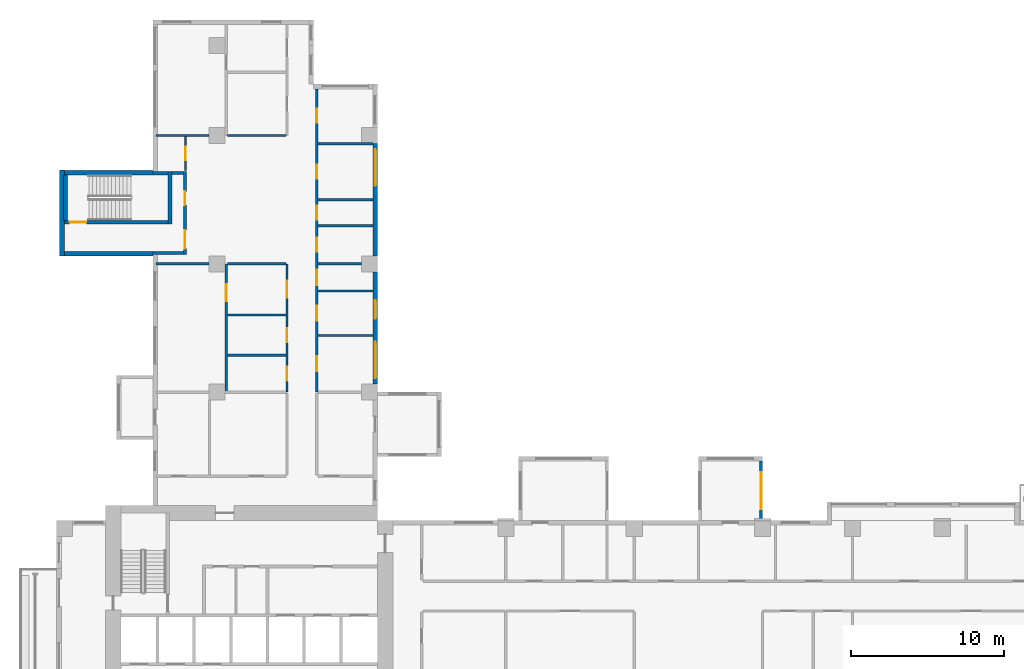
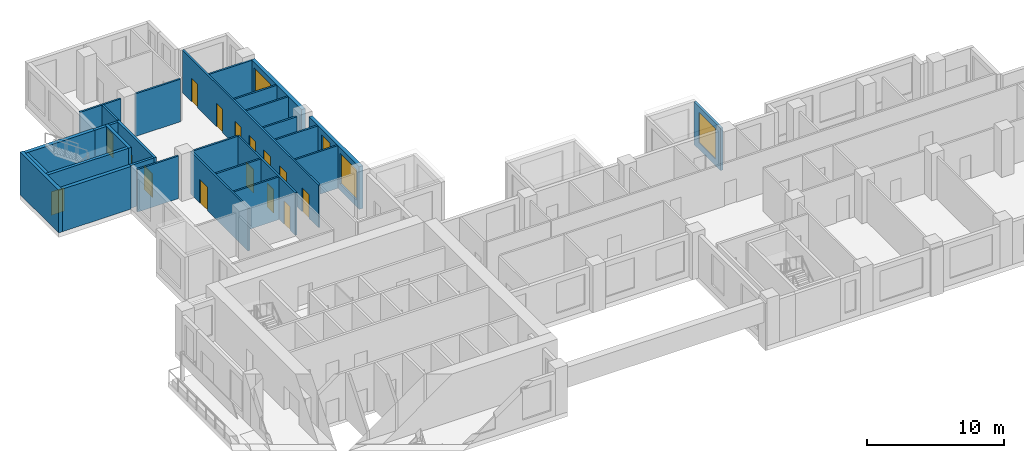
# One storey, part 6 of 14: 29 walls, 15 doors, 4 windows, 19 openings.
"""IFC4 building model written with IfcOpenShell, lengths in metres."""

from ifc_helpers import new_model, si_unit, direction, frame, frame_2d, origin, place, context, subcontext, project, spatial, rectangle, extrude, source, transform, mapped, material, layer, layer_set, type_object, element, fill, save


model = new_model("IFC4")

# Units and contexts
model_context = context("Model", 3, precision=1e-05, world=origin(), true_north=direction((0.0, 1.0)))
body_context = subcontext(model_context, "Body", "Model", "MODEL_VIEW")
ifc_project = project(units=[si_unit("LENGTHUNIT", "METRE"), si_unit("AREAUNIT", "SQUARE_METRE"), si_unit("VOLUMEUNIT", "CUBIC_METRE"), si_unit("PLANEANGLEUNIT", "RADIAN"), si_unit("MASSUNIT", "GRAM", prefix="KILO")], contexts=[model_context])

# Site, building, storey
site_placement = place(None, origin())
site = spatial("IfcSite", under=ifc_project, at=site_placement, CompositionType="ELEMENT")
building_placement = place(site_placement, origin())
building = spatial("IfcBuilding", under=site, at=building_placement, Name="Aurelian Terraces", CompositionType="ELEMENT")
storey_placement = place(building_placement, frame((0.0, 0.0, 153.9)))
storey = spatial("IfcBuildingStorey", under=building, at=storey_placement, Name="L34", CompositionType="ELEMENT", Elevation=153.9)

# Wall, opening, window
ifc_material_1 = material(Name="Concrete fc' 40 MPa", Category="concrete")
ifc_layer_1 = layer(ifc_material_1, 0.2)
ifc_layer_set_1 = layer_set([ifc_layer_1], Name="BOX BEARING WALL 200")
wall_type_1 = type_object("IfcWallType", Name="BOX BEARING WALL 200", PredefinedType="SOLIDWALL", material=ifc_layer_set_1)
shared_shape_1 = source(origin(), body_context, "Body", "SweptSolid", [
    extrude(rectangle(XDim=3.9, YDim=0.2, at=frame_2d((1.95, 0.0))), origin(), (0.0, 0.0, 1.0), 3.8),
])
wall_1_placement = place(storey_placement, frame((46.1, 21.0, 0.0), z_axis=(0.0, 0.0, 1.0), x_axis=(0.0, 1.0, 0.0)))
wall_1 = element("IfcWall", 1, at=wall_1_placement, inside=storey, type_object=wall_type_1, Name="Box return L34 J48.1", PredefinedType="SOLIDWALL", context=body_context, shape_type="MappedRepresentation", body=[
    mapped(shared_shape_1, transform((0.0, 0.0, 0.0), scale=1.0)),
])
shared_shape_2 = source(origin(), body_context, "Body", "SweptSolid", [
    extrude(rectangle(XDim=2.4, YDim=2.7, at=frame_2d((1.2, 1.35))), frame((0.0, 0.11, 0.0), z_axis=(0.0, -1.0, 0.0), x_axis=(1.0, 0.0, 0.0)), (0.0, 0.0, 1.0), 0.22),
])
opening_1_placement = place(wall_1_placement, frame((0.75, 0.0, 0.6)))
opening_1 = element("IfcOpeningElement", 2, at=opening_1_placement, cuts=wall_1, Name="Opening W2427", PredefinedType="OPENING", context=body_context, shape_type="MappedRepresentation", body=[
    mapped(shared_shape_2, transform((0.0, 0.0, 0.0), scale=1.0)),
])
ifc_material_2 = material(Name="Clear glazing", Category="glass")
window_type_1 = type_object("IfcWindowType", Name="W-2400x2700", PartitioningType="SINGLE_PANEL", PredefinedType="WINDOW", material=ifc_material_2)
shared_shape_3 = source(origin(), body_context, "Body", "SweptSolid", [
    extrude(rectangle(XDim=2.4, YDim=2.7, at=frame_2d((1.2, 1.35))), frame((0.0, 0.03, 0.0), z_axis=(0.0, -1.0, 0.0), x_axis=(1.0, 0.0, 0.0)), (0.0, 0.0, 1.0), 0.06),
])
window_1_placement = place(opening_1_placement, origin())
window_1 = element("IfcWindow", 3, at=window_1_placement, inside=storey, type_object=window_type_1, Name="Window L34 J48-S1", OverallHeight=2.7, OverallWidth=2.4, PartitioningType="SINGLE_PANEL", PredefinedType="WINDOW", context=body_context, shape_type="MappedRepresentation", body=[
    mapped(shared_shape_3, transform((0.0, 0.0, 0.0), scale=1.0)),
])
fill(opening_1, window_1)

# Wall, openings, windows
ifc_material_3 = material(Name="Terracotta rainscreen cladding", Category="masonry")
ifc_layer_2 = layer(ifc_material_3, 0.3)
ifc_layer_set_2 = layer_set([ifc_layer_2], Name="EW-300")
wall_type_2 = type_object("IfcWallType", Name="EW-300", PredefinedType="STANDARD", material=ifc_layer_set_2)
shared_shape_4 = source(origin(), body_context, "Body", "SweptSolid", [
    extrude(rectangle(XDim=7.35, YDim=0.3, at=frame_2d((3.675, 0.0))), origin(), (0.0, 0.0, 1.0), 3.8),
])
wall_2_placement = place(storey_placement, frame((20.85, 29.925, 0.0), z_axis=(0.0, 0.0, 1.0), x_axis=(0.0, 1.0, 0.0)))
wall_2 = element("IfcWall", 4, at=wall_2_placement, inside=storey, type_object=wall_type_2, Name="External wall L34 F12.27", PredefinedType="STANDARD", context=body_context, shape_type="MappedRepresentation", body=[
    mapped(shared_shape_4, transform((0.0, 0.0, 0.0), scale=1.0)),
])
shared_shape_5 = source(origin(), body_context, "Body", "SweptSolid", [
    extrude(rectangle(XDim=2.4, YDim=2.7, at=frame_2d((1.2, 1.35))), frame((0.0, 0.16, 0.0), z_axis=(0.0, -1.0, 0.0), x_axis=(1.0, 0.0, 0.0)), (0.0, 0.0, 1.0), 0.32),
])
opening_2_placement = place(wall_2_placement, frame((0.375, 0.0, 0.6)))
opening_2 = element("IfcOpeningElement", 5, at=opening_2_placement, cuts=wall_2, Name="Opening W2427", PredefinedType="OPENING", context=body_context, shape_type="MappedRepresentation", body=[
    mapped(shared_shape_5, transform((0.0, 0.0, 0.0), scale=1.0)),
])
shared_shape_6 = source(origin(), body_context, "Body", "SweptSolid", [
    extrude(rectangle(XDim=1.2, YDim=2.7, at=frame_2d((0.6, 1.35))), frame((0.0, 0.16, 0.0), z_axis=(0.0, -1.0, 0.0), x_axis=(1.0, 0.0, 0.0)), (0.0, 0.0, 1.0), 0.32),
])
opening_3_placement = place(wall_2_placement, frame((4.2933, 0.0, 0.6)))
opening_3 = element("IfcOpeningElement", 6, at=opening_3_placement, cuts=wall_2, Name="Opening W1227", PredefinedType="OPENING", context=body_context, shape_type="MappedRepresentation", body=[
    mapped(shared_shape_6, transform((0.0, 0.0, 0.0), scale=1.0)),
])
window_2_placement = place(opening_2_placement, origin())
window_2 = element("IfcWindow", 7, at=window_2_placement, inside=storey, type_object=window_type_1, Name="Window L34 L34-F12-27-0", OverallHeight=2.7, OverallWidth=2.4, PartitioningType="SINGLE_PANEL", PredefinedType="WINDOW", context=body_context, shape_type="MappedRepresentation", body=[
    mapped(shared_shape_3, transform((0.0, 0.0, 0.0), scale=1.0)),
])
fill(opening_2, window_2)
window_type_2 = type_object("IfcWindowType", Name="W-1200x2700", PartitioningType="SINGLE_PANEL", PredefinedType="WINDOW", material=ifc_material_2)
shared_shape_7 = source(origin(), body_context, "Body", "SweptSolid", [
    extrude(rectangle(XDim=1.2, YDim=2.7, at=frame_2d((0.6, 1.35))), frame((0.0, 0.03, 0.0), z_axis=(0.0, -1.0, 0.0), x_axis=(1.0, 0.0, 0.0)), (0.0, 0.0, 1.0), 0.06),
])
window_3_placement = place(opening_3_placement, origin())
window_3 = element("IfcWindow", 8, at=window_3_placement, inside=storey, type_object=window_type_2, Name="Window L34 L34-F12-27-G0-33", OverallHeight=2.7, OverallWidth=1.2, PartitioningType="SINGLE_PANEL", PredefinedType="WINDOW", context=body_context, shape_type="MappedRepresentation", body=[
    mapped(shared_shape_7, transform((0.0, 0.0, 0.0), scale=1.0)),
])
fill(opening_3, window_3)

# Wall, opening, window
wall_3_placement = place(storey_placement, frame((20.85, 38.325, 0.0), z_axis=(0.0, 0.0, 1.0), x_axis=(0.0, 1.0, 0.0)))
wall_3 = element("IfcWall", 9, at=wall_3_placement, inside=storey, type_object=wall_type_2, Name="External wall L34 F12.28", PredefinedType="STANDARD", context=body_context, shape_type="MappedRepresentation", body=[
    mapped(shared_shape_4, transform((0.0, 0.0, 0.0), scale=1.0)),
])
opening_4_placement = place(wall_3_placement, frame((4.575, 0.0, 0.6)))
opening_4 = element("IfcOpeningElement", 10, at=opening_4_placement, cuts=wall_3, Name="Opening W2427", PredefinedType="OPENING", context=body_context, shape_type="MappedRepresentation", body=[
    mapped(shared_shape_5, transform((0.0, 0.0, 0.0), scale=1.0)),
])
window_4_placement = place(opening_4_placement, origin())
window_4 = element("IfcWindow", 11, at=window_4_placement, inside=storey, type_object=window_type_1, Name="Window L34 L34-F12-28-1", OverallHeight=2.7, OverallWidth=2.4, PartitioningType="SINGLE_PANEL", PredefinedType="WINDOW", context=body_context, shape_type="MappedRepresentation", body=[
    mapped(shared_shape_3, transform((0.0, 0.0, 0.0), scale=1.0)),
])
fill(opening_4, window_4)

# Walls
ifc_layer_3 = layer(ifc_material_1, 0.3)
ifc_layer_set_3 = layer_set([ifc_layer_3], Name="STAIR BAY WALL 300")
wall_type_3 = type_object("IfcWallType", Name="STAIR BAY WALL 300", PredefinedType="SOLIDWALL", material=ifc_layer_set_3)
shared_shape_8 = source(origin(), body_context, "Body", "SweptSolid", [
    extrude(rectangle(XDim=6.1, YDim=0.3, at=frame_2d((3.05, 0.0))), origin(), (0.0, 0.0, 1.0), 3.8),
])
for number, where, z_axis, x_axis, name in (
    (12, (6.3, 43.75, 0.0), (0.0, 0.0, 1.0), (-1.0, 0.0, 0.0), "Stair bay wall L34 F17.35"),
    (13, (0.2, 38.45, 0.0), (0.0, 0.0, 1.0), (1.0, 0.0, 0.0), "Stair bay wall L34 F19.37"),
):
    element("IfcWall", number, at=place(storey_placement, frame(where, z_axis=z_axis, x_axis=x_axis)), inside=storey, type_object=wall_type_3, Name=name, PredefinedType="SOLIDWALL", context=body_context, shape_type="MappedRepresentation", body=[
        mapped(shared_shape_8, transform((0.0, 0.0, 0.0), scale=1.0)),
    ])
shared_shape_9 = source(origin(), body_context, "Body", "SweptSolid", [
    extrude(rectangle(XDim=5.65, YDim=0.3, at=frame_2d((2.825, 0.0))), origin(), (0.0, 0.0, 1.0), 3.8),
])
wall_4_placement = place(storey_placement, frame((0.35, 43.95, 0.0), z_axis=(0.0, 0.0, 1.0), x_axis=(0.0, -1.0, 0.0)))
element("IfcWall", 14, at=wall_4_placement, inside=storey, type_object=wall_type_3, Name="Stair bay wall L34 F18.36", PredefinedType="SOLIDWALL", context=body_context, shape_type="MappedRepresentation", body=[
    mapped(shared_shape_9, transform((0.0, 0.0, 0.0), scale=1.0)),
])

# Wall, opening, door
ifc_layer_4 = layer(ifc_material_1, 0.25)
ifc_layer_set_4 = layer_set([ifc_layer_4], Name="Stair enclosure wall 250")
wall_type_4 = type_object("IfcWallType", Name="Stair enclosure wall 250", PredefinedType="SOLIDWALL", material=ifc_layer_set_4)
shared_shape_10 = source(origin(), body_context, "Body", "SweptSolid", [
    extrude(rectangle(XDim=7.0, YDim=0.25, at=frame_2d((3.5, 0.0))), origin(), (0.0, 0.0, 1.0), 3.8),
])
wall_5_placement = place(storey_placement, frame((0.3, 40.525, 0.0), z_axis=(0.0, 0.0, 1.0), x_axis=(1.0, 0.0, 0.0)))
wall_5 = element("IfcWall", 15, at=wall_5_placement, inside=storey, type_object=wall_type_4, Name="L34 core wall ST-S3-W", PredefinedType="SOLIDWALL", context=body_context, shape_type="MappedRepresentation", body=[
    mapped(shared_shape_10, transform((0.0, 0.0, 0.0), scale=1.0)),
])
shared_shape_11 = source(origin(), body_context, "Body", "SweptSolid", [
    extrude(rectangle(XDim=1.1, YDim=2.1, at=frame_2d((0.55, 1.05))), frame((0.0, 0.135, 0.0), z_axis=(0.0, -1.0, 0.0), x_axis=(1.0, 0.0, 0.0)), (0.0, 0.0, 1.0), 0.27),
])
opening_5_placement = place(wall_5_placement, frame((0.55, 0.0, 0.0)))
opening_5 = element("IfcOpeningElement", 16, at=opening_5_placement, cuts=wall_5, Name="Opening 63717", PredefinedType="OPENING", context=body_context, shape_type="MappedRepresentation", body=[
    mapped(shared_shape_11, transform((0.0, 0.0, 0.0), scale=1.0)),
])
ifc_material_4 = material(Name="Steel door leaf", Category="steel")
door_type_1 = type_object("IfcDoorType", Name="Core fire door 1100x2100", OperationType="SINGLE_SWING_LEFT", PredefinedType="DOOR", material=ifc_material_4)
shared_shape_12 = source(origin(), body_context, "Body", "SweptSolid", [
    extrude(rectangle(XDim=1.1, YDim=2.1, at=frame_2d((0.55, 1.05))), frame((0.0, 0.025, 0.0), z_axis=(0.0, -1.0, 0.0), x_axis=(1.0, 0.0, 0.0)), (0.0, 0.0, 1.0), 0.05),
])
door_1_placement = place(opening_5_placement, origin())
door_1 = element("IfcDoor", 17, at=door_1_placement, inside=storey, type_object=door_type_1, Name="Stair door 63717", OperationType="SINGLE_SWING_LEFT", OverallHeight=2.1, OverallWidth=1.1, PredefinedType="DOOR", context=body_context, shape_type="MappedRepresentation", body=[
    mapped(shared_shape_12, transform((0.0, 0.0, 0.0), scale=1.0)),
])
fill(opening_5, door_1)

# Walls
shared_shape_13 = source(origin(), body_context, "Body", "SweptSolid", [
    extrude(rectangle(XDim=3.45, YDim=0.25, at=frame_2d((1.725, 0.0))), origin(), (0.0, 0.0, 1.0), 3.8),
])
wall_6_placement = place(storey_placement, frame((7.425, 40.4, 0.0), z_axis=(0.0, 0.0, 1.0), x_axis=(0.0, 1.0, 0.0)))
element("IfcWall", 18, at=wall_6_placement, inside=storey, type_object=wall_type_4, Name="L34 core wall ST-S3-N", PredefinedType="SOLIDWALL", context=body_context, shape_type="MappedRepresentation", body=[
    mapped(shared_shape_13, transform((0.0, 0.0, 0.0), scale=1.0)),
])
shared_shape_14 = source(origin(), body_context, "Body", "SweptSolid", [
    extrude(rectangle(XDim=2.95, YDim=0.25, at=frame_2d((1.475, 0.0))), origin(), (0.0, 0.0, 1.0), 3.8),
])
wall_7_placement = place(storey_placement, frame((0.575, 40.65, 0.0), z_axis=(0.0, 0.0, 1.0), x_axis=(0.0, 1.0, 0.0)))
element("IfcWall", 19, at=wall_7_placement, inside=storey, type_object=wall_type_4, Name="L34 core wall ST-S3-SS", PredefinedType="SOLIDWALL", context=body_context, shape_type="MappedRepresentation", body=[
    mapped(shared_shape_14, transform((0.0, 0.0, 0.0), scale=1.0)),
])

# Wall, openings, doors
ifc_material_5 = material(Name="Gypsum board on steel studs", Category="steel")
ifc_layer_5 = layer(ifc_material_5, 0.2)
ifc_layer_set_5 = layer_set([ifc_layer_5], Name="Core partition 200")
wall_type_5 = type_object("IfcWallType", Name="Core partition 200", PredefinedType="PARTITIONING", material=ifc_layer_set_5)
shared_shape_15 = source(origin(), body_context, "Body", "SweptSolid", [
    extrude(rectangle(XDim=5.45, YDim=0.2, at=frame_2d((2.725, 0.0))), origin(), (0.0, 0.0, 1.0), 3.8),
])
wall_8_placement = place(storey_placement, frame((8.4, 38.4, 0.0), z_axis=(0.0, 0.0, 1.0), x_axis=(0.0, 1.0, 0.0)))
wall_8 = element("IfcWall", 20, at=wall_8_placement, inside=storey, type_object=wall_type_5, Name="L34 core wall ST-S3-BN", PredefinedType="PARTITIONING", context=body_context, shape_type="MappedRepresentation", body=[
    mapped(shared_shape_15, transform((0.0, 0.0, 0.0), scale=1.0)),
])
shared_shape_16 = source(origin(), body_context, "Body", "SweptSolid", [
    extrude(rectangle(XDim=1.2, YDim=2.1, at=frame_2d((0.6, 1.05))), frame((0.0, 0.11, 0.0), z_axis=(0.0, -1.0, 0.0), x_axis=(1.0, 0.0, 0.0)), (0.0, 0.0, 1.0), 0.22),
])
opening_6_placement = place(wall_8_placement, frame((0.4, 0.0, 0.0)))
opening_6 = element("IfcOpeningElement", 21, at=opening_6_placement, cuts=wall_8, Name="Opening 63718", PredefinedType="OPENING", context=body_context, shape_type="MappedRepresentation", body=[
    mapped(shared_shape_16, transform((0.0, 0.0, 0.0), scale=1.0)),
])
shared_shape_17 = source(origin(), body_context, "Body", "SweptSolid", [
    extrude(rectangle(XDim=0.9, YDim=2.1, at=frame_2d((0.45, 1.05))), frame((0.0, 0.11, 0.0), z_axis=(0.0, -1.0, 0.0), x_axis=(1.0, 0.0, 0.0)), (0.0, 0.0, 1.0), 0.22),
])
opening_7_placement = place(wall_8_placement, frame((3.25, 0.0, 0.0)))
opening_7 = element("IfcOpeningElement", 22, at=opening_7_placement, cuts=wall_8, Name="Opening 63719", PredefinedType="OPENING", context=body_context, shape_type="MappedRepresentation", body=[
    mapped(shared_shape_17, transform((0.0, 0.0, 0.0), scale=1.0)),
])
door_type_2 = type_object("IfcDoorType", Name="Core riser door 900x2100", OperationType="SINGLE_SWING_LEFT", PredefinedType="DOOR", material=ifc_material_4)
shared_shape_18 = source(origin(), body_context, "Body", "SweptSolid", [
    extrude(rectangle(XDim=0.9, YDim=2.1, at=frame_2d((0.45, 1.05))), frame((0.0, 0.025, 0.0), z_axis=(0.0, -1.0, 0.0), x_axis=(1.0, 0.0, 0.0)), (0.0, 0.0, 1.0), 0.05),
])
door_2_placement = place(opening_7_placement, origin())
door_2 = element("IfcDoor", 23, at=door_2_placement, inside=storey, type_object=door_type_2, Name="Riser door 63719", OperationType="SINGLE_SWING_LEFT", OverallHeight=2.1, OverallWidth=0.9, PredefinedType="DOOR", context=body_context, shape_type="MappedRepresentation", body=[
    mapped(shared_shape_18, transform((0.0, 0.0, 0.0), scale=1.0)),
])
fill(opening_7, door_2)
door_type_3 = type_object("IfcDoorType", Name="Core fire door 1200x2100 right", OperationType="SINGLE_SWING_RIGHT", PredefinedType="DOOR", material=ifc_material_4)
shared_shape_19 = source(origin(), body_context, "Body", "SweptSolid", [
    extrude(rectangle(XDim=1.2, YDim=2.1, at=frame_2d((0.6, 1.05))), frame((0.0, 0.025, 0.0), z_axis=(0.0, -1.0, 0.0), x_axis=(1.0, 0.0, 0.0)), (0.0, 0.0, 1.0), 0.05),
])
door_3_placement = place(opening_6_placement, origin())
door_3 = element("IfcDoor", 24, at=door_3_placement, inside=storey, type_object=door_type_3, Name="Vestibule door 63718", OperationType="SINGLE_SWING_RIGHT", OverallHeight=2.1, OverallWidth=1.2, PredefinedType="DOOR", context=body_context, shape_type="MappedRepresentation", body=[
    mapped(shared_shape_19, transform((0.0, 0.0, 0.0), scale=1.0)),
])
fill(opening_6, door_3)

# Walls
shared_shape_20 = source(origin(), body_context, "Body", "SweptSolid", [
    extrude(rectangle(XDim=0.75, YDim=0.2, at=frame_2d((0.375, 0.0))), origin(), (0.0, 0.0, 1.0), 3.8),
])
wall_9_placement = place(storey_placement, frame((7.55, 43.75, 0.0), z_axis=(0.0, 0.0, 1.0), x_axis=(1.0, 0.0, 0.0)))
element("IfcWall", 25, at=wall_9_placement, inside=storey, type_object=wall_type_5, Name="L34 core wall ST-S3-RE", PredefinedType="PARTITIONING", context=body_context, shape_type="MappedRepresentation", body=[
    mapped(shared_shape_20, transform((0.0, 0.0, 0.0), scale=1.0)),
])
shared_shape_21 = source(origin(), body_context, "Body", "SweptSolid", [
    extrude(rectangle(XDim=1.0, YDim=0.25, at=frame_2d((0.5, 0.0))), origin(), (0.0, 0.0, 1.0), 3.8),
])
wall_10_placement = place(storey_placement, frame((6.3, 43.725, 0.0), z_axis=(0.0, 0.0, 1.0), x_axis=(1.0, 0.0, 0.0)))
element("IfcWall", 26, at=wall_10_placement, inside=storey, type_object=wall_type_4, Name="L34 core wall ST-S3-E", PredefinedType="SOLIDWALL", context=body_context, shape_type="MappedRepresentation", body=[
    mapped(shared_shape_21, transform((0.0, 0.0, 0.0), scale=1.0)),
])
shared_shape_22 = source(origin(), body_context, "Body", "SweptSolid", [
    extrude(rectangle(XDim=2.0, YDim=0.2, at=frame_2d((1.0, 0.0))), origin(), (0.0, 0.0, 1.0), 3.8),
])
wall_11_placement = place(storey_placement, frame((6.3, 38.5, 0.0), z_axis=(0.0, 0.0, 1.0), x_axis=(1.0, 0.0, 0.0)))
element("IfcWall", 27, at=wall_11_placement, inside=storey, type_object=wall_type_5, Name="L34 core wall ST-S3-VW", PredefinedType="PARTITIONING", context=body_context, shape_type="MappedRepresentation", body=[
    mapped(shared_shape_22, transform((0.0, 0.0, 0.0), scale=1.0)),
])
ifc_layer_6 = layer(ifc_material_5, 0.15)
ifc_layer_set_6 = layer_set([ifc_layer_6], Name="Partition 150")
wall_type_6 = type_object("IfcWallType", Name="Partition 150", PredefinedType="PARTITIONING", material=ifc_layer_set_6)
shared_shape_23 = source(origin(), body_context, "Body", "SweptSolid", [
    extrude(rectangle(XDim=3.6, YDim=0.15, at=frame_2d((1.8, 0.0))), origin(), (0.0, 0.0, 1.0), 3.8),
])
for number, where, z_axis, x_axis, name in (
    (28, (17.1, 33.1133, 0.0), (0.0, 0.0, 1.0), (1.0, 0.0, 0.0), "Partition"),
    (29, (17.1, 36.024, 0.0), (0.0, 0.0, 1.0), (1.0, 0.0, 0.0), "Partition"),
    (30, (17.1, 40.3011, 0.0), (0.0, 0.0, 1.0), (1.0, 0.0, 0.0), "Partition"),
    (31, (17.1, 45.6675, 0.0), (0.0, 0.0, 1.0), (1.0, 0.0, 0.0), "Partition"),
    (32, (20.7, 42.0, 0.0), (0.0, 0.0, 1.0), (-1.0, 0.0, 0.0), "Partition"),
):
    element("IfcWall", number, at=place(storey_placement, frame(where, z_axis=z_axis, x_axis=x_axis)), inside=storey, type_object=wall_type_6, Name=name, PredefinedType="PARTITIONING", context=body_context, shape_type="MappedRepresentation", body=[
        mapped(shared_shape_23, transform((0.0, 0.0, 0.0), scale=1.0)),
    ])

# Wall, opening, door
shared_shape_24 = source(origin(), body_context, "Body", "SweptSolid", [
    extrude(rectangle(XDim=8.4, YDim=0.15, at=frame_2d((4.2, 0.0))), origin(), (0.0, 0.0, 1.0), 3.8),
])
wall_12_placement = place(storey_placement, frame((11.1, 29.4, 0.0), z_axis=(0.0, 0.0, 1.0), x_axis=(0.0, 1.0, 0.0)))
wall_12 = element("IfcWall", 33, at=wall_12_placement, inside=storey, type_object=wall_type_6, Name="Partition", PredefinedType="PARTITIONING", context=body_context, shape_type="MappedRepresentation", body=[
    mapped(shared_shape_24, transform((0.0, 0.0, 0.0), scale=1.0)),
])
shared_shape_25 = source(origin(), body_context, "Body", "SweptSolid", [
    extrude(rectangle(XDim=1.1, YDim=2.1, at=frame_2d((0.55, 1.05))), frame((0.0, 0.085, 0.0), z_axis=(0.0, -1.0, 0.0), x_axis=(1.0, 0.0, 0.0)), (0.0, 0.0, 1.0), 0.17),
])
opening_8_placement = place(wall_12_placement, frame((5.9547, 0.0, 0.0)))
opening_8 = element("IfcOpeningElement", 34, at=opening_8_placement, cuts=wall_12, Name="Opening 734026", PredefinedType="OPENING", context=body_context, shape_type="MappedRepresentation", body=[
    mapped(shared_shape_25, transform((0.0, 0.0, 0.0), scale=1.0)),
])
ifc_material_6 = material(Name="Timber door leaf", Category="wood")
door_type_4 = type_object("IfcDoorType", Name="Room door 1100x2100 right", OperationType="SINGLE_SWING_RIGHT", PredefinedType="DOOR", material=ifc_material_6)
door_4_placement = place(opening_8_placement, origin())
door_4 = element("IfcDoor", 35, at=door_4_placement, inside=storey, type_object=door_type_4, Name="Door 734026", OperationType="SINGLE_SWING_RIGHT", OverallHeight=2.1, OverallWidth=1.1, PredefinedType="DOOR", context=body_context, shape_type="MappedRepresentation", body=[
    mapped(shared_shape_12, transform((0.0, 0.0, 0.0), scale=1.0)),
])
fill(opening_8, door_4)

# Wall, openings, doors
ifc_layer_7 = layer(ifc_material_5, 0.15)
ifc_layer_set_7 = layer_set([ifc_layer_7], Name="Fire partition 150")
wall_type_7 = type_object("IfcWallType", Name="Fire partition 150", PredefinedType="PARTITIONING", material=ifc_layer_set_7)
wall_13_placement = place(storey_placement, frame((15.075, 29.4, 0.0), z_axis=(0.0, 0.0, 1.0), x_axis=(0.0, 1.0, 0.0)))
wall_13 = element("IfcWall", 36, at=wall_13_placement, inside=storey, type_object=wall_type_7, Name="Corridor wall", PredefinedType="PARTITIONING", context=body_context, shape_type="MappedRepresentation", body=[
    mapped(shared_shape_24, transform((0.0, 0.0, 0.0), scale=1.0)),
])
opening_9_placement = place(wall_13_placement, frame((6.1797, 0.0, 0.0)))
opening_9 = element("IfcOpeningElement", 37, at=opening_9_placement, cuts=wall_13, Name="Opening 734025", PredefinedType="OPENING", context=body_context, shape_type="MappedRepresentation", body=[
    mapped(shared_shape_25, transform((0.0, 0.0, 0.0), scale=1.0)),
])
shared_shape_26 = source(origin(), body_context, "Body", "SweptSolid", [
    extrude(rectangle(XDim=0.9, YDim=2.1, at=frame_2d((0.45, 1.05))), frame((0.0, 0.085, 0.0), z_axis=(0.0, -1.0, 0.0), x_axis=(1.0, 0.0, 0.0)), (0.0, 0.0, 1.0), 0.17),
])
opening_10_placement = place(wall_13_placement, frame((0.7562, 0.0, 0.0)))
opening_10 = element("IfcOpeningElement", 38, at=opening_10_placement, cuts=wall_13, Name="Opening 734027", PredefinedType="OPENING", context=body_context, shape_type="MappedRepresentation", body=[
    mapped(shared_shape_26, transform((0.0, 0.0, 0.0), scale=1.0)),
])
opening_11_placement = place(wall_13_placement, frame((3.2859, 0.0, 0.0)))
opening_11 = element("IfcOpeningElement", 39, at=opening_11_placement, cuts=wall_13, Name="Opening 734028", PredefinedType="OPENING", context=body_context, shape_type="MappedRepresentation", body=[
    mapped(shared_shape_26, transform((0.0, 0.0, 0.0), scale=1.0)),
])
door_type_5 = type_object("IfcDoorType", Name="Room door 900x2100 left", OperationType="SINGLE_SWING_LEFT", PredefinedType="DOOR", material=ifc_material_6)
door_5_placement = place(opening_10_placement, origin())
door_5 = element("IfcDoor", 40, at=door_5_placement, inside=storey, type_object=door_type_5, Name="Door 734027", OperationType="SINGLE_SWING_LEFT", OverallHeight=2.1, OverallWidth=0.9, PredefinedType="DOOR", context=body_context, shape_type="MappedRepresentation", body=[
    mapped(shared_shape_18, transform((0.0, 0.0, 0.0), scale=1.0)),
])
fill(opening_10, door_5)
door_type_6 = type_object("IfcDoorType", Name="Room door 900x2100 right", OperationType="SINGLE_SWING_RIGHT", PredefinedType="DOOR", material=ifc_material_6)
door_6_placement = place(opening_11_placement, origin())
door_6 = element("IfcDoor", 41, at=door_6_placement, inside=storey, type_object=door_type_6, Name="Door 734028", OperationType="SINGLE_SWING_RIGHT", OverallHeight=2.1, OverallWidth=0.9, PredefinedType="DOOR", context=body_context, shape_type="MappedRepresentation", body=[
    mapped(shared_shape_18, transform((0.0, 0.0, 0.0), scale=1.0)),
])
fill(opening_11, door_6)
door_type_7 = type_object("IfcDoorType", Name="Room door 1100x2100 left", OperationType="SINGLE_SWING_LEFT", PredefinedType="DOOR", material=ifc_material_6)
door_7_placement = place(opening_9_placement, origin())
door_7 = element("IfcDoor", 42, at=door_7_placement, inside=storey, type_object=door_type_7, Name="Door 734025", OperationType="SINGLE_SWING_LEFT", OverallHeight=2.1, OverallWidth=1.1, PredefinedType="DOOR", context=body_context, shape_type="MappedRepresentation", body=[
    mapped(shared_shape_12, transform((0.0, 0.0, 0.0), scale=1.0)),
])
fill(opening_9, door_7)

# Wall, opening, door
shared_shape_27 = source(origin(), body_context, "Body", "SweptSolid", [
    extrude(rectangle(XDim=2.2, YDim=0.15, at=frame_2d((1.1, 0.0))), origin(), (0.0, 0.0, 1.0), 3.8),
])
wall_14_placement = place(storey_placement, frame((8.425, 43.925, 0.0), z_axis=(0.0, 0.0, 1.0), x_axis=(0.0, 1.0, 0.0)))
wall_14 = element("IfcWall", 43, at=wall_14_placement, inside=storey, type_object=wall_type_6, Name="Partition", PredefinedType="PARTITIONING", context=body_context, shape_type="MappedRepresentation", body=[
    mapped(shared_shape_27, transform((0.0, 0.0, 0.0), scale=1.0)),
])
opening_12_placement = place(wall_14_placement, frame((0.65, 0.0, 0.0)))
opening_12 = element("IfcOpeningElement", 44, at=opening_12_placement, cuts=wall_14, Name="Opening 734024", PredefinedType="OPENING", context=body_context, shape_type="MappedRepresentation", body=[
    mapped(shared_shape_26, transform((0.0, 0.0, 0.0), scale=1.0)),
])
door_8_placement = place(opening_12_placement, origin())
door_8 = element("IfcDoor", 45, at=door_8_placement, inside=storey, type_object=door_type_6, Name="Door 734024", OperationType="SINGLE_SWING_RIGHT", OverallHeight=2.1, OverallWidth=0.9, PredefinedType="DOOR", context=body_context, shape_type="MappedRepresentation", body=[
    mapped(shared_shape_18, transform((0.0, 0.0, 0.0), scale=1.0)),
])
fill(opening_12, door_8)

# Walls
shared_shape_28 = source(origin(), body_context, "Body", "SweptSolid", [
    extrude(rectangle(XDim=3.825, YDim=0.15, at=frame_2d((1.9125, 0.0))), origin(), (0.0, 0.0, 1.0), 3.8),
])
for number, where, z_axis, x_axis, name in (
    (46, (15.0, 31.8123, 0.0), (0.0, 0.0, 1.0), (-1.0, 0.0, 0.0), "Partition"),
    (47, (15.0, 34.4595, 0.0), (0.0, 0.0, 1.0), (-1.0, 0.0, 0.0), "Partition"),
    (48, (15.0, 37.8, 0.0), (0.0, 0.0, 1.0), (-1.0, 0.0, 0.0), "Partition"),
    (49, (15.0, 46.2, 0.0), (0.0, 0.0, 1.0), (-1.0, 0.0, 0.0), "Partition"),
):
    element("IfcWall", number, at=place(storey_placement, frame(where, z_axis=z_axis, x_axis=x_axis)), inside=storey, type_object=wall_type_6, Name=name, PredefinedType="PARTITIONING", context=body_context, shape_type="MappedRepresentation", body=[
        mapped(shared_shape_28, transform((0.0, 0.0, 0.0), scale=1.0)),
    ])
shared_shape_29 = source(origin(), body_context, "Body", "SweptSolid", [
    extrude(rectangle(XDim=2.851, YDim=0.15, at=frame_2d((1.4255, 0.0))), origin(), (0.0, 0.0, 1.0), 3.8),
])
wall_15_placement = place(storey_placement, frame((19.951, 37.8, 0.0), z_axis=(0.0, 0.0, 1.0), x_axis=(-1.0, 0.0, 0.0)))
element("IfcWall", 50, at=wall_15_placement, inside=storey, type_object=wall_type_6, Name="Partition", PredefinedType="PARTITIONING", context=body_context, shape_type="MappedRepresentation", body=[
    mapped(shared_shape_29, transform((0.0, 0.0, 0.0), scale=1.0)),
])
shared_shape_30 = source(origin(), body_context, "Body", "SweptSolid", [
    extrude(rectangle(XDim=3.471, YDim=0.15, at=frame_2d((1.7355, 0.0))), origin(), (0.0, 0.0, 1.0), 3.8),
])
for number, where, z_axis, x_axis, name in (
    (51, (9.976, 37.8, 0.0), (0.0, 0.0, 1.0), (-1.0, 0.0, 0.0), "Partition"),
    (52, (9.976, 46.2, 0.0), (0.0, 0.0, 1.0), (-1.0, 0.0, 0.0), "Partition"),
):
    element("IfcWall", number, at=place(storey_placement, frame(where, z_axis=z_axis, x_axis=x_axis)), inside=storey, type_object=wall_type_6, Name=name, PredefinedType="PARTITIONING", context=body_context, shape_type="MappedRepresentation", body=[
        mapped(shared_shape_30, transform((0.0, 0.0, 0.0), scale=1.0)),
    ])

# Wall, openings, doors
shared_shape_31 = source(origin(), body_context, "Body", "SweptSolid", [
    extrude(rectangle(XDim=19.86, YDim=0.15, at=frame_2d((9.93, 0.0))), origin(), (0.0, 0.0, 1.0), 3.8),
])
wall_16_placement = place(storey_placement, frame((17.025, 49.26, 0.0), z_axis=(0.0, 0.0, 1.0), x_axis=(0.0, -1.0, 0.0)))
wall_16 = element("IfcWall", 53, at=wall_16_placement, inside=storey, type_object=wall_type_7, Name="Corridor wall", PredefinedType="PARTITIONING", context=body_context, shape_type="MappedRepresentation", body=[
    mapped(shared_shape_31, transform((0.0, 0.0, 0.0), scale=1.0)),
])
shared_shape_32 = source(origin(), body_context, "Body", "SweptSolid", [
    extrude(rectangle(XDim=1.0, YDim=2.1, at=frame_2d((0.5, 1.05))), frame((0.0, 0.085, 0.0), z_axis=(0.0, -1.0, 0.0), x_axis=(1.0, 0.0, 0.0)), (0.0, 0.0, 1.0), 0.17),
])
opening_13_placement = place(wall_16_placement, frame((17.5033, 0.0, 0.0)))
opening_13 = element("IfcOpeningElement", 54, at=opening_13_placement, cuts=wall_16, Name="Opening 734032", PredefinedType="OPENING", context=body_context, shape_type="MappedRepresentation", body=[
    mapped(shared_shape_32, transform((0.0, 0.0, 0.0), scale=1.0)),
])
opening_14_placement = place(wall_16_placement, frame((14.1914, 0.0, 0.0)))
opening_14 = element("IfcOpeningElement", 55, at=opening_14_placement, cuts=wall_16, Name="Opening 734033", PredefinedType="OPENING", context=body_context, shape_type="MappedRepresentation", body=[
    mapped(shared_shape_32, transform((0.0, 0.0, 0.0), scale=1.0)),
])
opening_15_placement = place(wall_16_placement, frame((11.848, 0.0, 0.0)))
opening_15 = element("IfcOpeningElement", 56, at=opening_15_placement, cuts=wall_16, Name="Opening 734034", PredefinedType="OPENING", context=body_context, shape_type="MappedRepresentation", body=[
    mapped(shared_shape_32, transform((0.0, 0.0, 0.0), scale=1.0)),
])
opening_16_placement = place(wall_16_placement, frame((9.7594, 0.0, 0.0)))
opening_16 = element("IfcOpeningElement", 57, at=opening_16_placement, cuts=wall_16, Name="Opening 734035", PredefinedType="OPENING", context=body_context, shape_type="MappedRepresentation", body=[
    mapped(shared_shape_26, transform((0.0, 0.0, 0.0), scale=1.0)),
])
opening_17_placement = place(wall_16_placement, frame((7.6594, 0.0, 0.0)))
opening_17 = element("IfcOpeningElement", 58, at=opening_17_placement, cuts=wall_16, Name="Opening 734036", PredefinedType="OPENING", context=body_context, shape_type="MappedRepresentation", body=[
    mapped(shared_shape_26, transform((0.0, 0.0, 0.0), scale=1.0)),
])
opening_18_placement = place(wall_16_placement, frame((4.9762, 0.0, 0.0)))
opening_18 = element("IfcOpeningElement", 59, at=opening_18_placement, cuts=wall_16, Name="Opening 734037", PredefinedType="OPENING", context=body_context, shape_type="MappedRepresentation", body=[
    mapped(shared_shape_26, transform((0.0, 0.0, 0.0), scale=1.0)),
])
opening_19_placement = place(wall_16_placement, frame((1.3088, 0.0, 0.0)))
opening_19 = element("IfcOpeningElement", 60, at=opening_19_placement, cuts=wall_16, Name="Opening 734038", PredefinedType="OPENING", context=body_context, shape_type="MappedRepresentation", body=[
    mapped(shared_shape_26, transform((0.0, 0.0, 0.0), scale=1.0)),
])
door_type_8 = type_object("IfcDoorType", Name="Room door 1000x2100 left", OperationType="SINGLE_SWING_LEFT", PredefinedType="DOOR", material=ifc_material_6)
shared_shape_33 = source(origin(), body_context, "Body", "SweptSolid", [
    extrude(rectangle(XDim=1.0, YDim=2.1, at=frame_2d((0.5, 1.05))), frame((0.0, 0.025, 0.0), z_axis=(0.0, -1.0, 0.0), x_axis=(1.0, 0.0, 0.0)), (0.0, 0.0, 1.0), 0.05),
])
door_9_placement = place(opening_13_placement, origin())
door_9 = element("IfcDoor", 61, at=door_9_placement, inside=storey, type_object=door_type_8, Name="Door 734032", OperationType="SINGLE_SWING_LEFT", OverallHeight=2.1, OverallWidth=1.0, PredefinedType="DOOR", context=body_context, shape_type="MappedRepresentation", body=[
    mapped(shared_shape_33, transform((0.0, 0.0, 0.0), scale=1.0)),
])
fill(opening_13, door_9)
door_type_9 = type_object("IfcDoorType", Name="Room door 1000x2100 right", OperationType="SINGLE_SWING_RIGHT", PredefinedType="DOOR", material=ifc_material_6)
door_10_placement = place(opening_14_placement, origin())
door_10 = element("IfcDoor", 62, at=door_10_placement, inside=storey, type_object=door_type_9, Name="Door 734033", OperationType="SINGLE_SWING_RIGHT", OverallHeight=2.1, OverallWidth=1.0, PredefinedType="DOOR", context=body_context, shape_type="MappedRepresentation", body=[
    mapped(shared_shape_33, transform((0.0, 0.0, 0.0), scale=1.0)),
])
fill(opening_14, door_10)
door_11_placement = place(opening_15_placement, origin())
door_11 = element("IfcDoor", 63, at=door_11_placement, inside=storey, type_object=door_type_8, Name="Door 734034", OperationType="SINGLE_SWING_LEFT", OverallHeight=2.1, OverallWidth=1.0, PredefinedType="DOOR", context=body_context, shape_type="MappedRepresentation", body=[
    mapped(shared_shape_33, transform((0.0, 0.0, 0.0), scale=1.0)),
])
fill(opening_15, door_11)
door_12_placement = place(opening_16_placement, origin())
door_12 = element("IfcDoor", 64, at=door_12_placement, inside=storey, type_object=door_type_5, Name="Door 734035", OperationType="SINGLE_SWING_LEFT", OverallHeight=2.1, OverallWidth=0.9, PredefinedType="DOOR", context=body_context, shape_type="MappedRepresentation", body=[
    mapped(shared_shape_18, transform((0.0, 0.0, 0.0), scale=1.0)),
])
fill(opening_16, door_12)
door_13_placement = place(opening_17_placement, origin())
door_13 = element("IfcDoor", 65, at=door_13_placement, inside=storey, type_object=door_type_6, Name="Door 734036", OperationType="SINGLE_SWING_RIGHT", OverallHeight=2.1, OverallWidth=0.9, PredefinedType="DOOR", context=body_context, shape_type="MappedRepresentation", body=[
    mapped(shared_shape_18, transform((0.0, 0.0, 0.0), scale=1.0)),
])
fill(opening_17, door_13)
door_14_placement = place(opening_18_placement, origin())
door_14 = element("IfcDoor", 66, at=door_14_placement, inside=storey, type_object=door_type_5, Name="Door 734037", OperationType="SINGLE_SWING_LEFT", OverallHeight=2.1, OverallWidth=0.9, PredefinedType="DOOR", context=body_context, shape_type="MappedRepresentation", body=[
    mapped(shared_shape_18, transform((0.0, 0.0, 0.0), scale=1.0)),
])
fill(opening_18, door_14)
door_15_placement = place(opening_19_placement, origin())
door_15 = element("IfcDoor", 67, at=door_15_placement, inside=storey, type_object=door_type_6, Name="Door 734038", OperationType="SINGLE_SWING_RIGHT", OverallHeight=2.1, OverallWidth=0.9, PredefinedType="DOOR", context=body_context, shape_type="MappedRepresentation", body=[
    mapped(shared_shape_18, transform((0.0, 0.0, 0.0), scale=1.0)),
])
fill(opening_19, door_15)

save(model, "model.ifc")
